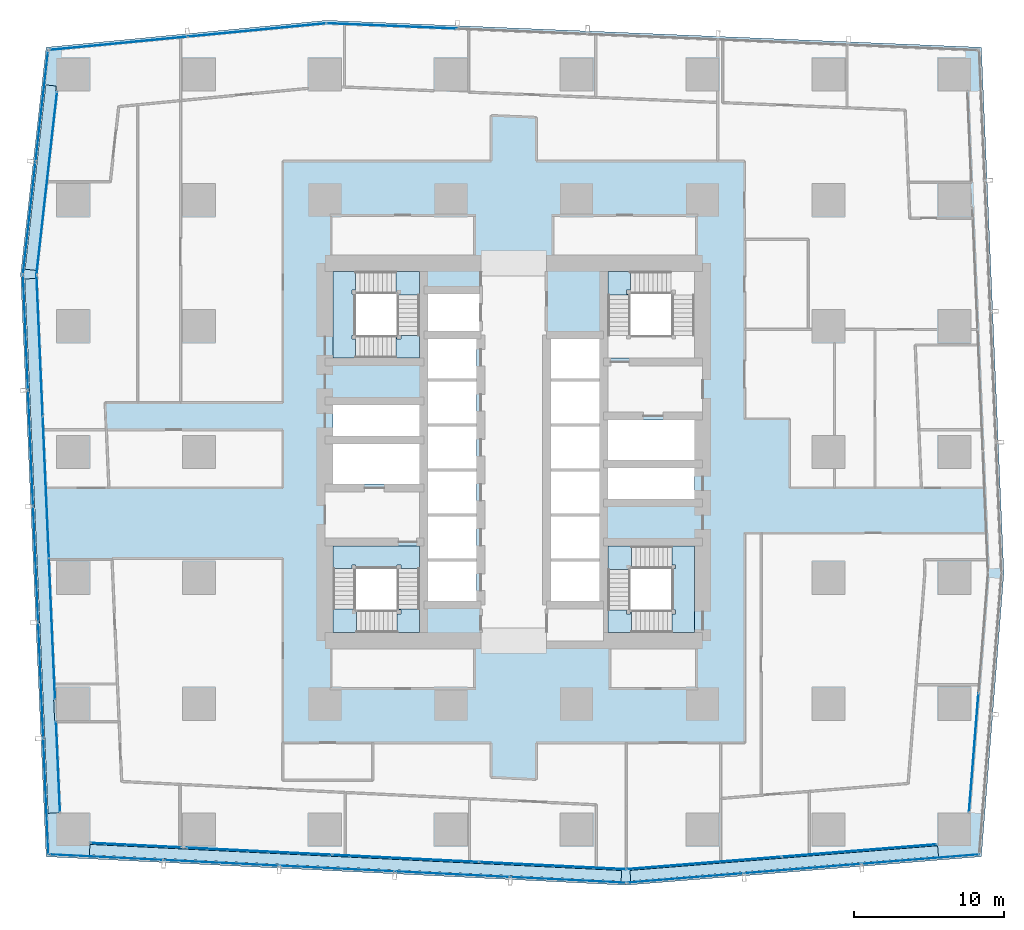
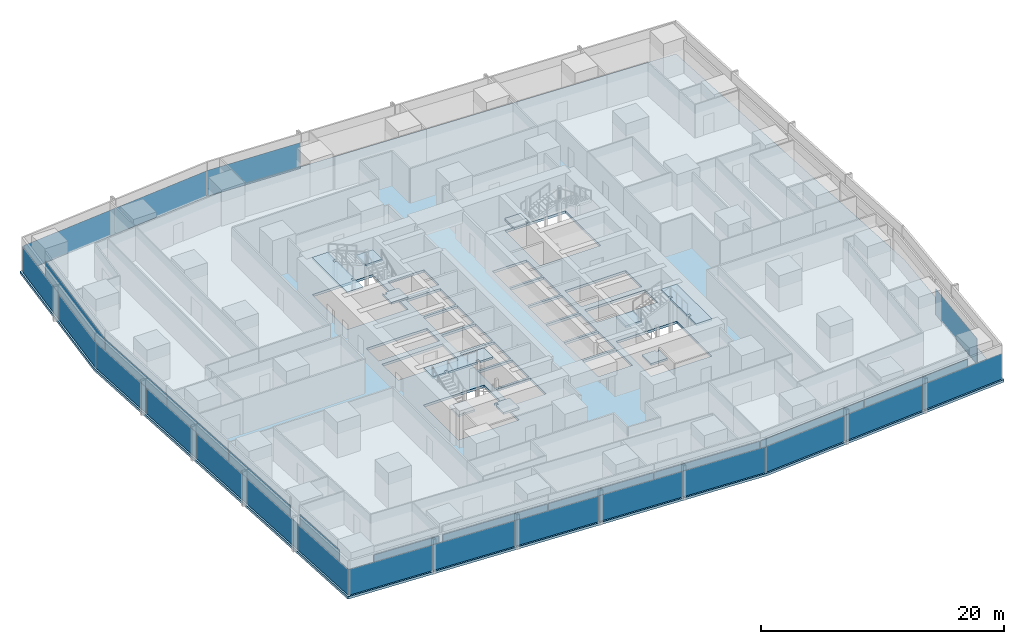
# One storey, part 30 of 45: 34 plates, 11 slabs, 17 elements without a shape of their own.
"""IFC4 building model written with IfcOpenShell, lengths in metres."""

import ifcopenshell
import ifcopenshell.guid

model = None  # the IFC model being written
_history = None  # IfcOwnerHistory: only IFC2X3 demands one
_inside = {}  # id of a spatial element -> (the spatial element, [elements in it])
_under = {}  # id of a project, library or spatial element -> (it, [spatial elements below it])
_declared = {}  # id of a project -> (the project, [libraries it declares])
_typed = {}  # id of a type object -> (the type object, [elements of that type])
_made_of = {}  # id of a material, layer set ... -> (it, [elements and type objects made of it])


def new_model(schema):
    """Start an empty IFC model of exactly this schema.

    Asked for "IFC4X3", IfcOpenShell would pick the latest addendum, in which some entities
    have other attributes; the version numbers below select the first issue.
    IFC2X3 requires an IfcOwnerHistory on every rooted entity: one is made here for all.
    """
    global model, _history
    if schema == "IFC4X3":
        model = ifcopenshell.file(schema_version=(4, 3, 0, 0))
    else:
        model = ifcopenshell.file(schema=schema)
    _inside.clear()
    _under.clear()
    _declared.clear()
    _typed.clear()
    _made_of.clear()
    _history = None
    if model.schema == "IFC2X3":
        org = make("IfcOrganization", Name="unknown")
        user = make(
            "IfcPersonAndOrganization",
            ThePerson=make("IfcPerson", FamilyName="unknown"),
            TheOrganization=org,
        )
        app = make(
            "IfcApplication",
            ApplicationDeveloper=org,
            Version="unknown",
            ApplicationFullName="unknown",
            ApplicationIdentifier="unknown",
        )
        _history = make(
            "IfcOwnerHistory",
            OwningUser=user,
            OwningApplication=app,
            ChangeAction="ADDED",
            CreationDate=0,
        )
    return model


def make(cls, **values):
    """One entity of the class cls with the attributes given. An attribute that is None is left unset."""
    return model.create_entity(
        cls, **{name: value for name, value in values.items() if value is not None}
    )


def rooted(cls, **values):
    """An entity with a GlobalId (a new one), such as an element, a storey or a relation."""
    return make(cls, GlobalId=ifcopenshell.guid.new(), OwnerHistory=_history, **values)


def si_unit(unit_type, name, prefix=None):
    """IfcSIUnit, for example si_unit("LENGTHUNIT", "METRE", prefix="MILLI")."""
    return make("IfcSIUnit", UnitType=unit_type, Prefix=prefix, Name=name)


def assignment(units):
    """IfcUnitAssignment: the units of a project."""
    return None if units is None else make("IfcUnitAssignment", Units=units)


def point(xyz):
    """IfcCartesianPoint."""
    return None if xyz is None else make("IfcCartesianPoint", Coordinates=xyz)


def direction(xyz):
    """IfcDirection."""
    return None if xyz is None else make("IfcDirection", DirectionRatios=xyz)


def frame(location, z_axis=None, x_axis=None):
    """IfcAxis2Placement3D, a coordinate frame: its origin and axes. An axis left out is left unset."""
    return make(
        "IfcAxis2Placement3D",
        Location=point(location),
        Axis=direction(z_axis),
        RefDirection=direction(x_axis),
    )


def frame_2d(location, x_axis=None):
    """IfcAxis2Placement2D, a coordinate frame in the plane: its origin and x axis."""
    return make(
        "IfcAxis2Placement2D", Location=point(location), RefDirection=direction(x_axis)
    )


def origin():
    """The frame at (0, 0, 0) with its axes left unset."""
    return frame((0.0, 0.0, 0.0))


def origin_2d():
    """The frame at (0, 0) in the plane with its x axis left unset."""
    return frame_2d((0.0, 0.0))


def place(relative_to, where):
    """IfcLocalPlacement: puts the frame where relative to a parent placement (None: the world)."""
    return make(
        "IfcLocalPlacement", PlacementRelTo=relative_to, RelativePlacement=where
    )


def context(
    kind, dimensions, precision=None, world=None, true_north=None, identifier=None
):
    """IfcGeometricRepresentationContext, for example the 3D "Model" context."""
    return make(
        "IfcGeometricRepresentationContext",
        ContextIdentifier=identifier,
        ContextType=kind,
        CoordinateSpaceDimension=dimensions,
        Precision=precision,
        WorldCoordinateSystem=world,
        TrueNorth=true_north,
    )


def subcontext(parent, identifier, kind, view, scale=None):
    """IfcGeometricRepresentationSubContext, for example "Body" below "Model"."""
    return make(
        "IfcGeometricRepresentationSubContext",
        ContextIdentifier=identifier,
        ContextType=kind,
        ParentContext=parent,
        TargetScale=scale,
        TargetView=view,
    )


def project(units=None, contexts=None):
    """IfcProject with its units and contexts."""
    return rooted(
        "IfcProject",
        Name="project",
        RepresentationContexts=contexts,
        UnitsInContext=assignment(units),
    )


def spatial(cls, under=None, at=None, **own):
    """A site, building, storey or space (cls), placed at a placement, below another one or the project."""
    s = rooted(cls, ObjectPlacement=at, **own)
    if under is not None:
        _under.setdefault(under.id(), (under, []))[1].append(s)
    return s


def polyline(points):
    """IfcPolyline through the points."""
    return make("IfcPolyline", Points=[point(p) for p in points])


def profile(cls, at=None, kind="AREA", **sizes):
    """A parametric profile (cls). Its sizes go by their IFC names, for example OverallWidth=200.0."""
    return make(cls, ProfileType=kind, Position=at, **sizes)


def rectangle(**sizes):
    """IfcRectangleProfileDef."""
    return profile("IfcRectangleProfileDef", **sizes)


def outline(outer, holes=None, kind="AREA"):
    """IfcArbitraryClosedProfileDef: a profile drawn as a closed curve; with holes, ...WithVoids."""
    if holes is None:
        return make("IfcArbitraryClosedProfileDef", ProfileType=kind, OuterCurve=outer)
    return make(
        "IfcArbitraryProfileDefWithVoids",
        ProfileType=kind,
        OuterCurve=outer,
        InnerCurves=holes,
    )


def extrude(swept, where, along, depth):
    """IfcExtrudedAreaSolid: the profile swept, set in the frame where, extruded along a direction by depth."""
    return make(
        "IfcExtrudedAreaSolid",
        SweptArea=swept,
        Position=where,
        ExtrudedDirection=direction(along),
        Depth=depth,
    )


def shape(context_of_items, identifier, shape_type, items):
    """IfcShapeRepresentation: the items that make up one representation, for example the "Body"."""
    return make(
        "IfcShapeRepresentation",
        ContextOfItems=context_of_items,
        RepresentationIdentifier=identifier,
        RepresentationType=shape_type,
        Items=items,
    )


def material(Name=None, Category=None):
    """IfcMaterial."""
    return make("IfcMaterial", Name=Name, Category=Category)


def layer(
    of_material, thickness, ventilated=None, Name=None, Category=None, Priority=None
):
    """IfcMaterialLayer: one layer of a wall or slab, of a material (None: an air gap)."""
    return make(
        "IfcMaterialLayer",
        Material=of_material,
        LayerThickness=thickness,
        IsVentilated=ventilated,
        Name=Name,
        Category=Category,
        Priority=Priority,
    )


def layer_set(layers, Name=None):
    """IfcMaterialLayerSet."""
    return make("IfcMaterialLayerSet", MaterialLayers=layers, LayerSetName=Name)


def made_of(thing, what):
    """Note that an element or type object is made of a material, layer set ...; save() writes the relation."""
    if what is not None:
        _made_of.setdefault(what.id(), (what, []))[1].append(thing)
    return thing


def type_object(cls, material=None, **own):
    """A type object (cls), such as IfcWallType, which elements share."""
    return made_of(rooted(cls, **own), material)


def element(
    cls,
    number,
    at=None,
    inside=None,
    cuts=None,
    type_object=None,
    material=None,
    context=None,
    identifier="Body",
    shape_type=None,
    held_by="IfcProductDefinitionShape",
    body=None,
    shapes=None,
    **own,
):
    """One element of the class cls, such as IfcWall. Its Tag is "e" and its number.

    at: its placement. inside: the storey or other place that contains it. cuts: it is an
    opening in that element (IfcRelVoidsElement). A single representation is given by context,
    identifier, shape_type and body (its items); several are given by shapes. held_by: the class
    of the entity that holds the representations. save() writes the other relations.
    """
    e = rooted(cls, Tag="e%d" % number, ObjectPlacement=at, **own)
    if body is not None:
        shapes = [shape(context, identifier, shape_type, body)]
    if shapes is not None:
        e.Representation = make(held_by, Representations=shapes)
    if inside is not None:
        _inside.setdefault(inside.id(), (inside, []))[1].append(e)
    if cuts is not None:
        rooted(
            "IfcRelVoidsElement", RelatingBuildingElement=cuts, RelatedOpeningElement=e
        )
    if type_object is not None:
        _typed.setdefault(type_object.id(), (type_object, []))[1].append(e)
    return made_of(e, material)


def aggregate(whole, parts):
    """IfcRelAggregates: a whole, such as a stair, and the parts it consists of."""
    return rooted("IfcRelAggregates", RelatingObject=whole, RelatedObjects=parts)


def save(model, path):
    """Write the relations noted so far, then the file.

    IfcRelAggregates (storeys below a building ...), IfcRelContainedInSpatialStructure (elements
    in a storey), IfcRelDefinesByType, IfcRelAssociatesMaterial and IfcRelDeclares: one each for
    every whole, place, type object, material and project.
    """
    for whole, parts in _under.values():
        aggregate(whole, parts)
    for where, things in _inside.values():
        rooted(
            "IfcRelContainedInSpatialStructure",
            RelatedElements=things,
            RelatingStructure=where,
        )
    for kind, things in _typed.values():
        rooted("IfcRelDefinesByType", RelatedObjects=things, RelatingType=kind)
    for what, things in _made_of.values():
        rooted("IfcRelAssociatesMaterial", RelatedObjects=things, RelatingMaterial=what)
    for by, libraries in _declared.values():
        rooted("IfcRelDeclares", RelatingContext=by, RelatedDefinitions=libraries)
    model.write(path)


model = new_model("IFC4")

# Units and contexts
model_context = context("Model", 3, precision=1e-05, world=origin(), true_north=direction((0.0, 1.0)))
body_context = subcontext(model_context, "Body", "Model", "MODEL_VIEW")
ifc_project = project(units=[si_unit("LENGTHUNIT", "METRE"), si_unit("AREAUNIT", "SQUARE_METRE"), si_unit("VOLUMEUNIT", "CUBIC_METRE"), si_unit("PLANEANGLEUNIT", "RADIAN"), si_unit("MASSUNIT", "GRAM", prefix="KILO")], contexts=[model_context])

# Site, building, storey
site_placement = place(None, origin())
site = spatial("IfcSite", under=ifc_project, at=site_placement, CompositionType="ELEMENT")
building_placement = place(site_placement, origin())
building = spatial("IfcBuilding", under=site, at=building_placement, Name="Rekha Terrace Tower", CompositionType="ELEMENT")
storey_placement = place(building_placement, frame((0.0, 0.0, 44.14990234375)))
storey = spatial("IfcBuildingStorey", under=building, at=storey_placement, Name="L10", CompositionType="ELEMENT", Elevation=44.14990234375)

# Curtain wall, plate
ifc_material_1 = material(Name="Aluminium framing", Category="aluminium")
curtain_wall_type_1 = type_object("IfcCurtainWallType", Name="CW1 double skin inner glazing", PredefinedType="USERDEFINED", material=ifc_material_1)
curtain_wall_1_placement = place(storey_placement, origin())
curtain_wall_1 = element("IfcCurtainWall", 1, at=curtain_wall_1_placement, inside=storey, type_object=curtain_wall_type_1, Name="CW1 double skin inner glazing", ObjectType="DOUBLE SKIN INNER GLAZING", PredefinedType="USERDEFINED")
ifc_material_2 = material(Name="Double-glazed low-e unit 32", Category="glass")
ifc_layer_1 = layer(ifc_material_2, 0.031982421875)
ifc_layer_set_1 = layer_set([ifc_layer_1], Name="Double-glazed low-e unit 32")
plate_type_1 = type_object("IfcPlateType", Name="CW1 jumbo vision panel, double-glazed low-e unit 32", PredefinedType="CURTAIN_PANEL", material=ifc_layer_set_1)
plate_1_placement = place(storey_placement, frame((12.60009765625, 7.36669921875, 0.0), z_axis=(0.0, 0.0, 1.0), x_axis=(0.998796239977, -0.049051717693, 0.0)))
plate_1 = element("IfcPlate", 2, at=plate_1_placement, type_object=plate_type_1, Name="CW1 panel 1.1", PredefinedType="CURTAIN_PANEL", context=body_context, shape_type="SweptSolid", body=[
    extrude(rectangle(XDim=6.028076171875, YDim=0.031982421875, at=origin_2d()), origin(), (0.0, 0.0, 1.0), 2.60009765625),
])
aggregate(curtain_wall_1, [plate_1])

# Curtain wall, plates
curtain_wall_2_placement = place(storey_placement, origin())
curtain_wall_2 = element("IfcCurtainWall", 3, at=curtain_wall_2_placement, inside=storey, type_object=curtain_wall_type_1, Name="CW1 double skin inner glazing", ObjectType="DOUBLE SKIN INNER GLAZING", PredefinedType="USERDEFINED")
plate_2_placement = place(storey_placement, frame((20.818603515625, 6.962890625, 0.0), z_axis=(0.0, 0.0, 1.0), x_axis=(0.998796239974, -0.049051717746, 0.0)))
plate_2 = element("IfcPlate", 4, at=plate_2_placement, type_object=plate_type_1, Name="CW1 panel 1.1", PredefinedType="CURTAIN_PANEL", context=body_context, shape_type="SweptSolid", body=[
    extrude(rectangle(XDim=9.701904296875, YDim=0.031982421875, at=origin_2d()), origin(), (0.0, 0.0, 1.0), 2.60009765625),
])
plate_3_placement = place(storey_placement, frame((30.590087890625, 6.483154296875, 0.0), z_axis=(0.0, 0.0, 1.0), x_axis=(0.998796239974, -0.049051717746, 0.0)))
plate_3 = element("IfcPlate", 5, at=plate_3_placement, type_object=plate_type_1, Name="CW1 panel 2.1", PredefinedType="CURTAIN_PANEL", context=body_context, shape_type="SweptSolid", body=[
    extrude(rectangle(XDim=9.734619140625, YDim=0.031982421875, at=origin_2d()), origin(), (0.0, 0.0, 1.0), 2.60009765625),
])
plate_4_placement = place(storey_placement, frame((40.39404296875, 6.001708984375, 0.0), z_axis=(0.0, 0.0, 1.0), x_axis=(0.998796239974, -0.049051717746, 0.0)))
plate_4 = element("IfcPlate", 6, at=plate_4_placement, type_object=plate_type_1, Name="CW1 panel 3.1", PredefinedType="CURTAIN_PANEL", context=body_context, shape_type="SweptSolid", body=[
    extrude(rectangle(XDim=9.76708984375, YDim=0.031982421875, at=origin_2d()), origin(), (0.0, 0.0, 1.0), 2.60009765625),
])
aggregate(curtain_wall_2, [plate_2, plate_3, plate_4])

curtain_wall_3_placement = place(storey_placement, origin())
curtain_wall_3 = element("IfcCurtainWall", 7, at=curtain_wall_3_placement, inside=storey, type_object=curtain_wall_type_1, Name="CW1 double skin inner glazing", ObjectType="DOUBLE SKIN INNER GLAZING", PredefinedType="USERDEFINED")
plate_5_placement = place(storey_placement, frame((50.488037109375, 6.18017578125, 0.0), z_axis=(0.0, 0.0, 1.0), x_axis=(0.996805111821, 0.079872204468, 0.0)))
plate_5 = element("IfcPlate", 8, at=plate_5_placement, type_object=plate_type_1, Name="CW1 panel 1.1", PredefinedType="CURTAIN_PANEL", context=body_context, shape_type="SweptSolid", body=[
    extrude(rectangle(XDim=10.336181640625, YDim=0.031982421875, at=origin_2d()), origin(), (0.0, 0.0, 1.0), 2.60009765625),
])
plate_6_placement = place(storey_placement, frame((60.85595703125, 7.0107421875, 0.0), z_axis=(0.0, 0.0, 1.0), x_axis=(0.996805111821, 0.079872204468, 0.0)))
plate_6 = element("IfcPlate", 9, at=plate_6_placement, type_object=plate_type_1, Name="CW1 panel 2.1", PredefinedType="CURTAIN_PANEL", context=body_context, shape_type="SweptSolid", body=[
    extrude(rectangle(XDim=10.336181640625, YDim=0.031982421875, at=origin_2d()), origin(), (0.0, 0.0, 1.0), 2.60009765625),
])
aggregate(curtain_wall_3, [plate_5, plate_6])

# Curtain wall, plate
curtain_wall_4_placement = place(storey_placement, origin())
curtain_wall_4 = element("IfcCurtainWall", 10, at=curtain_wall_4_placement, inside=storey, type_object=curtain_wall_type_1, Name="CW1 double skin inner glazing", ObjectType="DOUBLE SKIN INNER GLAZING", PredefinedType="USERDEFINED")
plate_7_placement = place(storey_placement, frame((68.487548828125, 13.541748046875, 0.0), z_axis=(0.0, 0.0, 1.0), x_axis=(0.079116301, 0.996865392576, 0.0)))
plate_7 = element("IfcPlate", 11, at=plate_7_placement, type_object=plate_type_1, Name="CW1 panel 1.1", PredefinedType="CURTAIN_PANEL", context=body_context, shape_type="SweptSolid", body=[
    extrude(rectangle(XDim=7.923583984375, YDim=0.031982421875, at=origin_2d()), origin(), (0.0, 0.0, 1.0), 2.60009765625),
])
aggregate(curtain_wall_4, [plate_7])

curtain_wall_5_placement = place(storey_placement, origin())
curtain_wall_5 = element("IfcCurtainWall", 12, at=curtain_wall_5_placement, inside=storey, type_object=curtain_wall_type_1, Name="CW1 double skin inner glazing", ObjectType="DOUBLE SKIN INNER GLAZING", PredefinedType="USERDEFINED")
plate_8_placement = place(storey_placement, frame((6.646728515625, 51.52734375, 0.0), z_axis=(0.0, 0.0, 1.0), x_axis=(-0.111729870748, -0.993738615524, 0.0)))
plate_8 = element("IfcPlate", 13, at=plate_8_placement, type_object=plate_type_1, Name="CW1 panel 1.1", PredefinedType="CURTAIN_PANEL", context=body_context, shape_type="SweptSolid", body=[
    extrude(rectangle(XDim=12.243896484375, YDim=0.031982421875, at=origin_2d()), origin(), (0.0, 0.0, 1.0), 2.60009765625),
])
aggregate(curtain_wall_5, [plate_8])

# Curtain wall, plates
curtain_wall_6_placement = place(storey_placement, origin())
curtain_wall_6 = element("IfcCurtainWall", 14, at=curtain_wall_6_placement, inside=storey, type_object=curtain_wall_type_1, Name="CW1 double skin inner glazing", ObjectType="DOUBLE SKIN INNER GLAZING", PredefinedType="USERDEFINED")
plate_9_placement = place(storey_placement, frame((6.170166015625, 40.69482421875, 0.0), z_axis=(0.0, 0.0, 1.0), x_axis=(0.043682543337, -0.999045462133, 0.0)))
plate_9 = element("IfcPlate", 15, at=plate_9_placement, type_object=plate_type_1, Name="CW1 panel 1.1", PredefinedType="CURTAIN_PANEL", context=body_context, shape_type="SweptSolid", body=[
    extrude(rectangle(XDim=9.376953125, YDim=0.031982421875, at=origin_2d()), origin(), (0.0, 0.0, 1.0), 2.60009765625),
])
plate_10_placement = place(storey_placement, frame((6.58349609375, 31.245361328125, 0.0), z_axis=(0.0, 0.0, 1.0), x_axis=(0.043682543337, -0.999045462133, 0.0)))
plate_10 = element("IfcPlate", 16, at=plate_10_placement, type_object=plate_type_1, Name="CW1 panel 2.1", PredefinedType="CURTAIN_PANEL", context=body_context, shape_type="SweptSolid", body=[
    extrude(rectangle(XDim=9.40966796875, YDim=0.031982421875, at=origin_2d()), origin(), (0.0, 0.0, 1.0), 2.60009765625),
])
plate_11_placement = place(storey_placement, frame((6.99658203125, 21.796142578125, 0.0), z_axis=(0.0, 0.0, 1.0), x_axis=(0.043682543337, -0.999045462133, 0.0)))
plate_11 = element("IfcPlate", 17, at=plate_11_placement, type_object=plate_type_1, Name="CW1 panel 3.1", PredefinedType="CURTAIN_PANEL", context=body_context, shape_type="SweptSolid", body=[
    extrude(rectangle(XDim=9.376953125, YDim=0.031982421875, at=origin_2d()), origin(), (0.0, 0.0, 1.0), 2.60009765625),
])
aggregate(curtain_wall_6, [plate_9, plate_10, plate_11])

# Curtain wall, plate
curtain_wall_7_placement = place(storey_placement, origin())
curtain_wall_7 = element("IfcCurtainWall", 18, at=curtain_wall_7_placement, inside=storey, type_object=curtain_wall_type_1, Name="CW1 double skin inner glazing", ObjectType="DOUBLE SKIN INNER GLAZING", PredefinedType="USERDEFINED")
plate_12_placement = place(storey_placement, frame((7.398681640625, 12.60009765625, 0.0), z_axis=(0.0, 0.0, 1.0), x_axis=(0.043682543424, -0.999045462129, 0.0)))
plate_12 = element("IfcPlate", 19, at=plate_12_placement, type_object=plate_type_1, Name="CW1 panel 1.1", PredefinedType="CURTAIN_PANEL", context=body_context, shape_type="SweptSolid", body=[
    extrude(rectangle(XDim=6.027587890625, YDim=0.031982421875, at=origin_2d()), origin(), (0.0, 0.0, 1.0), 2.60009765625),
])
aggregate(curtain_wall_7, [plate_12])

# Curtain wall, plates
curtain_wall_type_2 = type_object("IfcCurtainWallType", Name="CW2 double skin outer glazing", PredefinedType="USERDEFINED", material=ifc_material_1)
curtain_wall_8_placement = place(storey_placement, origin())
curtain_wall_8 = element("IfcCurtainWall", 20, at=curtain_wall_8_placement, inside=storey, type_object=curtain_wall_type_2, Name="CW2 double skin outer glazing", ObjectType="DOUBLE SKIN OUTER GLAZING", PredefinedType="USERDEFINED")
ifc_material_3 = material(Name="Toughened single glazing 12", Category="glass")
ifc_layer_2 = layer(ifc_material_3, 0.011962890625)
ifc_layer_set_2 = layer_set([ifc_layer_2], Name="Toughened single glazing 12")
plate_type_2 = type_object("IfcPlateType", Name="CW2 jumbo vision panel, toughened single glazing 12", PredefinedType="CURTAIN_PANEL", material=ifc_layer_set_2)
plate_13_placement = place(storey_placement, frame((10.626708984375, 6.5625, 0.0), z_axis=(0.0, 0.0, 1.0), x_axis=(0.998796239974, -0.049051717746, 0.0)))
plate_13 = element("IfcPlate", 21, at=plate_13_placement, type_object=plate_type_2, Name="CW2 panel 1.1", PredefinedType="CURTAIN_PANEL", context=body_context, shape_type="SweptSolid", body=[
    extrude(rectangle(XDim=7.595703125, YDim=0.011962890625, at=origin_2d()), origin(), (0.0, 0.0, 1.0), 2.60009765625),
])
plate_14_placement = place(storey_placement, frame((18.31298828125, 6.18505859375, 0.0), z_axis=(0.0, 0.0, 1.0), x_axis=(0.998796239974, -0.049051717746, 0.0)))
plate_14 = element("IfcPlate", 22, at=plate_14_placement, type_object=plate_type_2, Name="CW2 panel 2.1", PredefinedType="CURTAIN_PANEL", context=body_context, shape_type="SweptSolid", body=[
    extrude(rectangle(XDim=7.6357421875, YDim=0.011962890625, at=origin_2d()), origin(), (0.0, 0.0, 1.0), 2.60009765625),
])
plate_15_placement = place(storey_placement, frame((26.01953125, 5.806396484375, 0.0), z_axis=(0.0, 0.0, 1.0), x_axis=(0.998796239974, -0.049051717746, 0.0)))
plate_15 = element("IfcPlate", 23, at=plate_15_placement, type_object=plate_type_2, Name="CW2 panel 3.1", PredefinedType="CURTAIN_PANEL", context=body_context, shape_type="SweptSolid", body=[
    extrude(rectangle(XDim=7.6357421875, YDim=0.011962890625, at=origin_2d()), origin(), (0.0, 0.0, 1.0), 2.60009765625),
])
plate_16_placement = place(storey_placement, frame((33.725830078125, 5.427978515625, 0.0), z_axis=(0.0, 0.0, 1.0), x_axis=(0.998796239974, -0.049051717746, 0.0)))
plate_16 = element("IfcPlate", 24, at=plate_16_placement, type_object=plate_type_2, Name="CW2 panel 4.1", PredefinedType="CURTAIN_PANEL", context=body_context, shape_type="SweptSolid", body=[
    extrude(rectangle(XDim=7.6357421875, YDim=0.011962890625, at=origin_2d()), origin(), (0.0, 0.0, 1.0), 2.60009765625),
])
plate_17_placement = place(storey_placement, frame((41.452392578125, 5.048583984375, 0.0), z_axis=(0.0, 0.0, 1.0), x_axis=(0.998796239974, -0.049051717746, 0.0)))
plate_17 = element("IfcPlate", 25, at=plate_17_placement, type_object=plate_type_2, Name="CW2 panel 5.1", PredefinedType="CURTAIN_PANEL", context=body_context, shape_type="SweptSolid", body=[
    extrude(rectangle(XDim=7.67578125, YDim=0.011962890625, at=origin_2d()), origin(), (0.0, 0.0, 1.0), 2.60009765625),
])
aggregate(curtain_wall_8, [plate_13, plate_14, plate_15, plate_16, plate_17])

curtain_wall_9_placement = place(storey_placement, origin())
curtain_wall_9 = element("IfcCurtainWall", 26, at=curtain_wall_9_placement, inside=storey, type_object=curtain_wall_type_2, Name="CW2 double skin outer glazing", ObjectType="DOUBLE SKIN OUTER GLAZING", PredefinedType="USERDEFINED")
plate_18_placement = place(storey_placement, frame((49.233154296875, 5.176513671875, 0.0), z_axis=(0.0, 0.0, 1.0), x_axis=(0.996805111821, 0.079872204468, 0.0)))
plate_18 = element("IfcPlate", 27, at=plate_18_placement, type_object=plate_type_2, Name="CW2 panel 1.1", PredefinedType="CURTAIN_PANEL", context=body_context, shape_type="SweptSolid", body=[
    extrude(rectangle(XDim=7.760498046875, YDim=0.011962890625, at=origin_2d()), origin(), (0.0, 0.0, 1.0), 2.60009765625),
])
plate_19_placement = place(storey_placement, frame((57.068359375, 5.804443359375, 0.0), z_axis=(0.0, 0.0, 1.0), x_axis=(0.996805111821, 0.079872204468, 0.0)))
plate_19 = element("IfcPlate", 28, at=plate_19_placement, type_object=plate_type_2, Name="CW2 panel 2.1", PredefinedType="CURTAIN_PANEL", context=body_context, shape_type="SweptSolid", body=[
    extrude(rectangle(XDim=7.800537109375, YDim=0.011962890625, at=origin_2d()), origin(), (0.0, 0.0, 1.0), 2.60009765625),
])
plate_20_placement = place(storey_placement, frame((64.943603515625, 6.435546875, 0.0), z_axis=(0.0, 0.0, 1.0), x_axis=(0.996805111821, 0.079872204468, 0.0)))
plate_20 = element("IfcPlate", 29, at=plate_20_placement, type_object=plate_type_2, Name="CW2 panel 3.1", PredefinedType="CURTAIN_PANEL", context=body_context, shape_type="SweptSolid", body=[
    extrude(rectangle(XDim=7.84033203125, YDim=0.011962890625, at=origin_2d()), origin(), (0.0, 0.0, 1.0), 2.60009765625),
])
aggregate(curtain_wall_9, [plate_18, plate_19, plate_20])

curtain_wall_10_placement = place(storey_placement, origin())
curtain_wall_10 = element("IfcCurtainWall", 30, at=curtain_wall_10_placement, inside=storey, type_object=curtain_wall_type_2, Name="CW2 double skin outer glazing", ObjectType="DOUBLE SKIN OUTER GLAZING", PredefinedType="USERDEFINED")
plate_21_placement = place(storey_placement, frame((6.3212890625, 56.688720703125, 0.0), z_axis=(0.0, 0.0, 1.0), x_axis=(-0.111729870782, -0.99373861552, 0.0)))
plate_21 = element("IfcPlate", 31, at=plate_21_placement, type_object=plate_type_2, Name="CW2 panel 1.1", PredefinedType="CURTAIN_PANEL", context=body_context, shape_type="SweptSolid", body=[
    extrude(rectangle(XDim=7.41650390625, YDim=0.011962890625, at=origin_2d()), origin(), (0.0, 0.0, 1.0), 2.60009765625),
])
plate_22_placement = place(storey_placement, frame((5.479248046875, 49.19921875, 0.0), z_axis=(0.0, 0.0, 1.0), x_axis=(-0.111729870782, -0.99373861552, 0.0)))
plate_22 = element("IfcPlate", 32, at=plate_22_placement, type_object=plate_type_2, Name="CW2 panel 2.1", PredefinedType="CURTAIN_PANEL", context=body_context, shape_type="SweptSolid", body=[
    extrude(rectangle(XDim=7.49658203125, YDim=0.011962890625, at=origin_2d()), origin(), (0.0, 0.0, 1.0), 2.60009765625),
])
aggregate(curtain_wall_10, [plate_21, plate_22])

curtain_wall_11_placement = place(storey_placement, origin())
curtain_wall_11 = element("IfcCurtainWall", 33, at=curtain_wall_11_placement, inside=storey, type_object=curtain_wall_type_2, Name="CW2 double skin outer glazing", ObjectType="DOUBLE SKIN OUTER GLAZING", PredefinedType="USERDEFINED")
plate_23_placement = place(storey_placement, frame((5.23046875, 41.582275390625, 0.0), z_axis=(0.0, 0.0, 1.0), x_axis=(0.043682543372, -0.999045462131, 0.0)))
plate_23 = element("IfcPlate", 34, at=plate_23_placement, type_object=plate_type_2, Name="CW2 panel 1.1", PredefinedType="CURTAIN_PANEL", context=body_context, shape_type="SweptSolid", body=[
    extrude(rectangle(XDim=7.6318359375, YDim=0.011962890625, at=origin_2d()), origin(), (0.0, 0.0, 1.0), 2.60009765625),
])
plate_24_placement = place(storey_placement, frame((5.568359375, 33.85791015625, 0.0), z_axis=(0.0, 0.0, 1.0), x_axis=(0.043682543372, -0.999045462131, 0.0)))
plate_24 = element("IfcPlate", 35, at=plate_24_placement, type_object=plate_type_2, Name="CW2 panel 2.1", PredefinedType="CURTAIN_PANEL", context=body_context, shape_type="SweptSolid", body=[
    extrude(rectangle(XDim=7.671875, YDim=0.011962890625, at=origin_2d()), origin(), (0.0, 0.0, 1.0), 2.60009765625),
])
plate_25_placement = place(storey_placement, frame((5.906982421875, 26.113525390625, 0.0), z_axis=(0.0, 0.0, 1.0), x_axis=(0.043682543372, -0.999045462131, 0.0)))
plate_25 = element("IfcPlate", 36, at=plate_25_placement, type_object=plate_type_2, Name="CW2 panel 3.1", PredefinedType="CURTAIN_PANEL", context=body_context, shape_type="SweptSolid", body=[
    extrude(rectangle(XDim=7.671875, YDim=0.011962890625, at=origin_2d()), origin(), (0.0, 0.0, 1.0), 2.60009765625),
])
plate_26_placement = place(storey_placement, frame((6.24560546875, 18.369140625, 0.0), z_axis=(0.0, 0.0, 1.0), x_axis=(0.043682543372, -0.999045462131, 0.0)))
plate_26 = element("IfcPlate", 37, at=plate_26_placement, type_object=plate_type_2, Name="CW2 panel 4.1", PredefinedType="CURTAIN_PANEL", context=body_context, shape_type="SweptSolid", body=[
    extrude(rectangle(XDim=7.671875, YDim=0.011962890625, at=origin_2d()), origin(), (0.0, 0.0, 1.0), 2.60009765625),
])
plate_27_placement = place(storey_placement, frame((6.5849609375, 10.60498046875, 0.0), z_axis=(0.0, 0.0, 1.0), x_axis=(0.043682543372, -0.999045462131, 0.0)))
plate_27 = element("IfcPlate", 38, at=plate_27_placement, type_object=plate_type_2, Name="CW2 panel 5.1", PredefinedType="CURTAIN_PANEL", context=body_context, shape_type="SweptSolid", body=[
    extrude(rectangle(XDim=7.711669921875, YDim=0.011962890625, at=origin_2d()), origin(), (0.0, 0.0, 1.0), 2.60009765625),
])
aggregate(curtain_wall_11, [plate_23, plate_24, plate_25, plate_26, plate_27])

# Curtain wall, plate
curtain_wall_type_3 = type_object("IfcCurtainWallType", Name="CW3 north unitised glazing", PredefinedType="USERDEFINED", material=ifc_material_1)
curtain_wall_12_placement = place(storey_placement, origin())
curtain_wall_12 = element("IfcCurtainWall", 39, at=curtain_wall_12_placement, inside=storey, type_object=curtain_wall_type_3, Name="CW3 unitised curtain wall", ObjectType="UNITISED CURTAIN WALL", PredefinedType="USERDEFINED")
ifc_material_4 = material(Name="Double-glazed unit 28", Category="glass")
ifc_layer_3 = layer(ifc_material_4, 0.028076171875)
ifc_layer_set_3 = layer_set([ifc_layer_3], Name="Double-glazed unit 28")
plate_type_3 = type_object("IfcPlateType", Name="CW3 jumbo vision panel, double-glazed unit 28", PredefinedType="CURTAIN_PANEL", material=ifc_layer_set_3)
plate_28_placement = place(storey_placement, frame((29.65625, 62.021240234375, 0.0), z_axis=(0.0, 0.0, 1.0), x_axis=(-0.999151997647, 0.041173846041, 0.0)))
plate_28 = element("IfcPlate", 40, at=plate_28_placement, type_object=plate_type_3, Name="CW3 panel 5.1", PredefinedType="CURTAIN_PANEL", context=body_context, shape_type="SweptSolid", body=[
    extrude(rectangle(XDim=8.6689453125, YDim=0.028076171875, at=origin_2d()), origin(), (0.0, 0.0, 1.0), 2.60009765625),
])
aggregate(curtain_wall_12, [plate_28])

# Curtain wall, plates
curtain_wall_13_placement = place(storey_placement, origin())
curtain_wall_13 = element("IfcCurtainWall", 41, at=curtain_wall_13_placement, inside=storey, type_object=curtain_wall_type_3, Name="CW3 unitised curtain wall", ObjectType="UNITISED CURTAIN WALL", PredefinedType="USERDEFINED")
plate_29_placement = place(storey_placement, frame((20.671875, 61.752197265625, 0.0), z_axis=(0.0, 0.0, 1.0), x_axis=(-0.995409029102, -0.095712406625, 0.0)))
plate_29 = element("IfcPlate", 42, at=plate_29_placement, type_object=plate_type_3, Name="CW3 panel 1.1", PredefinedType="CURTAIN_PANEL", context=body_context, shape_type="SweptSolid", body=[
    extrude(rectangle(XDim=9.210205078125, YDim=0.028076171875, at=origin_2d()), origin(), (0.0, 0.0, 1.0), 2.60009765625),
])
plate_30_placement = place(storey_placement, frame((11.434326171875, 60.864013671875, 0.0), z_axis=(0.0, 0.0, 1.0), x_axis=(-0.995409029102, -0.095712406625, 0.0)))
plate_30 = element("IfcPlate", 43, at=plate_30_placement, type_object=plate_type_3, Name="CW3 panel 2.1", PredefinedType="CURTAIN_PANEL", context=body_context, shape_type="SweptSolid", body=[
    extrude(rectangle(XDim=9.210205078125, YDim=0.028076171875, at=origin_2d()), origin(), (0.0, 0.0, 1.0), 2.60009765625),
])
aggregate(curtain_wall_13, [plate_29, plate_30])

# Plates
ifc_material_5 = material(Name="Galvanised steel open grating", Category="steel")
ifc_layer_4 = layer(ifc_material_5, 0.050048828125)
ifc_layer_set_4 = layer_set([ifc_layer_4], Name="Galvanised steel open grating")
plate_type_4 = type_object("IfcPlateType", Name="GT1 cavity walkway grating 50", PredefinedType="USERDEFINED", material=ifc_layer_set_4)
plate_31_placement = place(storey_placement, frame((27.24365234375, 6.197021484375, 0.0), z_axis=(0.0, 0.0, 1.0), x_axis=(0.998796239974, -0.049051717746, 0.0)))
element("IfcPlate", 44, at=plate_31_placement, inside=storey, type_object=plate_type_4, Name="Cavity walkway grating", ObjectType="CAVITY WALKWAY GRATING", PredefinedType="USERDEFINED", context=body_context, shape_type="SweptSolid", body=[
    extrude(rectangle(XDim=35.512939453125, YDim=0.705078125, at=origin_2d()), origin(), (0.0, 0.0, 1.0), 0.050048828125),
])
plate_32_placement = place(storey_placement, frame((55.841552734375, 6.15771484375, 0.0), z_axis=(0.0, 0.0, 1.0), x_axis=(0.996805111821, 0.079872204468, 0.0)))
element("IfcPlate", 45, at=plate_32_placement, inside=storey, type_object=plate_type_4, Name="Cavity walkway grating", ObjectType="CAVITY WALKWAY GRATING", PredefinedType="USERDEFINED", context=body_context, shape_type="SweptSolid", body=[
    extrude(rectangle(XDim=20.59375, YDim=0.705078125, at=origin_2d()), origin(), (0.0, 0.0, 1.0), 0.050048828125),
])
plate_33_placement = place(storey_placement, frame((6.236328125, 51.90576171875, 0.0), z_axis=(0.0, 0.0, 1.0), x_axis=(-0.1117298708, -0.993738615518, 0.0)))
element("IfcPlate", 46, at=plate_33_placement, inside=storey, type_object=plate_type_4, Name="Cavity walkway grating", ObjectType="CAVITY WALKWAY GRATING", PredefinedType="USERDEFINED", context=body_context, shape_type="SweptSolid", body=[
    extrude(rectangle(XDim=12.374267578125, YDim=0.705078125, at=origin_2d()), origin(), (0.0, 0.0, 1.0), 0.050048828125),
])
plate_34_placement = place(storey_placement, frame((6.303955078125, 27.3349609375, 0.0), z_axis=(0.0, 0.0, 1.0), x_axis=(0.043682543355, -0.999045462132, 0.0)))
element("IfcPlate", 47, at=plate_34_placement, inside=storey, type_object=plate_type_4, Name="Cavity walkway grating", ObjectType="CAVITY WALKWAY GRATING", PredefinedType="USERDEFINED", context=body_context, shape_type="SweptSolid", body=[
    extrude(rectangle(XDim=35.682861328125, YDim=0.705078125, at=origin_2d()), origin(), (0.0, 0.0, 1.0), 0.050048828125),
])

# Stair, slabs
ifc_material_6 = material(Name="Concrete M40", Category="concrete")
stair_type = type_object("IfcStairType", Name="ST30 stair, 30 risers of 125, going 300, 1500 wide flights, 3 flights", PredefinedType="HALF_TURN_STAIR", material=ifc_material_6)
stair_1_placement = place(storey_placement, origin())
stair_1 = element("IfcStair", 48, at=stair_1_placement, inside=storey, type_object=stair_type, Name="Stair ST1 L10 to L11", PredefinedType="HALF_TURN_STAIR")
ifc_layer_5 = layer(ifc_material_6, 0.199951171875)
ifc_layer_set_5 = layer_set([ifc_layer_5], Name="Concrete M40")
slab_type_1 = type_object("IfcSlabType", Name="LD1 200 concrete stair landing", PredefinedType="LANDING", material=ifc_layer_set_5)
slab_1_placement = place(storey_placement, frame((0.0, 0.0, 1.050048828125)))
slab_1 = element("IfcSlab", 49, at=slab_1_placement, type_object=slab_type_1, Name="ST1 landing 1", PredefinedType="LANDING", context=body_context, shape_type="SweptSolid", body=[
    extrude(outline(polyline([(30.02490234375, 21.550048828125), (31.52490234375, 21.550048828125), (31.52490234375, 23.125), (30.02490234375, 23.125), (30.02490234375, 23.050048828125), (30.27490234375, 23.050048828125), (30.27490234375, 22.800048828125), (30.02490234375, 22.800048828125), (30.02490234375, 21.550048828125)])), origin(), (0.0, 0.0, 1.0), 0.199951171875),
])
slab_2_placement = place(storey_placement, frame((0.0, 0.0, 2.300048828125)))
slab_2 = element("IfcSlab", 50, at=slab_2_placement, type_object=slab_type_1, Name="ST1 landing 2", PredefinedType="LANDING", context=body_context, shape_type="SweptSolid", body=[
    extrude(outline(polyline([(27.25, 23.125), (25.75, 23.125), (25.75, 21.550048828125), (27.324951171875, 21.550048828125), (27.324951171875, 23.050048828125), (27.25, 23.050048828125), (27.25, 23.125)])), origin(), (0.0, 0.0, 1.0), 0.199951171875),
])
slab_3_placement = place(storey_placement, frame((0.0, 0.0, 3.550048828125)))
slab_3 = element("IfcSlab", 51, at=slab_3_placement, type_object=slab_type_1, Name="ST1 landing 3", PredefinedType="LANDING", context=body_context, shape_type="SweptSolid", body=[
    extrude(outline(polyline([(31.52490234375, 25.824951171875), (31.52490234375, 27.324951171875), (25.75, 27.324951171875), (25.75, 25.824951171875), (27.0, 25.824951171875), (27.0, 26.074951171875), (27.25, 26.074951171875), (27.25, 25.824951171875), (30.02490234375, 25.824951171875), (30.02490234375, 26.074951171875), (30.27490234375, 26.074951171875), (30.27490234375, 25.824951171875), (31.52490234375, 25.824951171875)])), origin(), (0.0, 0.0, 1.0), 0.199951171875),
])
aggregate(stair_1, [slab_1, slab_2, slab_3])

# Stair, slab
stair_2_placement = place(storey_placement, origin())
stair_2 = element("IfcStair", 52, at=stair_2_placement, inside=storey, type_object=stair_type, Name="Stair ST2 L10 to L11", PredefinedType="HALF_TURN_STAIR")
slab_4_placement = place(storey_placement, frame((0.0, 0.0, 1.050048828125)))
slab_4 = element("IfcSlab", 53, at=slab_4_placement, type_object=slab_type_1, Name="ST2 landing 1", PredefinedType="LANDING", context=body_context, shape_type="SweptSolid", body=[
    extrude(outline(polyline([(45.574951171875, 45.64990234375), (44.074951171875, 45.64990234375), (44.074951171875, 44.074951171875), (45.574951171875, 44.074951171875), (45.574951171875, 44.14990234375), (45.324951171875, 44.14990234375), (45.324951171875, 44.39990234375), (45.574951171875, 44.39990234375), (45.574951171875, 45.64990234375)])), origin(), (0.0, 0.0, 1.0), 0.199951171875),
])
aggregate(stair_2, [slab_4])

# Stair, slabs
stair_3_placement = place(storey_placement, origin())
stair_3 = element("IfcStair", 54, at=stair_3_placement, inside=storey, type_object=stair_type, Name="Stair ST3 L10 to L11", PredefinedType="HALF_TURN_STAIR")
slab_5_placement = place(storey_placement, frame((0.0, 0.0, 1.050048828125)))
slab_5 = element("IfcSlab", 55, at=slab_5_placement, type_object=slab_type_1, Name="ST3 landing 1", PredefinedType="LANDING", context=body_context, shape_type="SweptSolid", body=[
    extrude(outline(polyline([(44.074951171875, 23.050048828125), (44.074951171875, 21.550048828125), (45.64990234375, 21.550048828125), (45.64990234375, 23.050048828125), (45.574951171875, 23.050048828125), (45.574951171875, 22.800048828125), (45.324951171875, 22.800048828125), (45.324951171875, 23.050048828125), (44.074951171875, 23.050048828125)])), origin(), (0.0, 0.0, 1.0), 0.199951171875),
])
slab_6_placement = place(storey_placement, frame((0.0, 0.0, 2.300048828125)))
slab_6 = element("IfcSlab", 56, at=slab_6_placement, type_object=slab_type_1, Name="ST3 landing 2", PredefinedType="LANDING", context=body_context, shape_type="SweptSolid", body=[
    extrude(outline(polyline([(45.64990234375, 25.824951171875), (45.64990234375, 27.324951171875), (44.074951171875, 27.324951171875), (44.074951171875, 25.75), (45.574951171875, 25.75), (45.574951171875, 25.824951171875), (45.64990234375, 25.824951171875)])), origin(), (0.0, 0.0, 1.0), 0.199951171875),
])
slab_7_placement = place(storey_placement, frame((0.0, 0.0, 3.550048828125)))
slab_7 = element("IfcSlab", 57, at=slab_7_placement, type_object=slab_type_1, Name="ST3 landing 3", PredefinedType="LANDING", context=body_context, shape_type="SweptSolid", body=[
    extrude(outline(polyline([(48.35009765625, 21.550048828125), (49.85009765625, 21.550048828125), (49.85009765625, 27.324951171875), (48.35009765625, 27.324951171875), (48.35009765625, 26.074951171875), (48.60009765625, 26.074951171875), (48.60009765625, 25.824951171875), (48.35009765625, 25.824951171875), (48.35009765625, 23.050048828125), (48.60009765625, 23.050048828125), (48.60009765625, 22.800048828125), (48.35009765625, 22.800048828125), (48.35009765625, 21.550048828125)])), origin(), (0.0, 0.0, 1.0), 0.199951171875),
])
aggregate(stair_3, [slab_5, slab_6, slab_7])

stair_4_placement = place(storey_placement, origin())
stair_4 = element("IfcStair", 58, at=stair_4_placement, inside=storey, type_object=stair_type, Name="Stair ST4 L10 to L11", PredefinedType="HALF_TURN_STAIR")
slab_8_placement = place(storey_placement, frame((0.0, 0.0, 1.050048828125)))
slab_8 = element("IfcSlab", 59, at=slab_8_placement, type_object=slab_type_1, Name="ST4 landing 1", PredefinedType="LANDING", context=body_context, shape_type="SweptSolid", body=[
    extrude(outline(polyline([(31.52490234375, 41.375), (31.52490234375, 39.875), (29.949951171875, 39.875), (29.949951171875, 41.375), (30.02490234375, 41.375), (30.02490234375, 41.125), (30.27490234375, 41.125), (30.27490234375, 41.375), (31.52490234375, 41.375)])), origin(), (0.0, 0.0, 1.0), 0.199951171875),
])
slab_9_placement = place(storey_placement, frame((0.0, 0.0, 2.300048828125)))
slab_9 = element("IfcSlab", 60, at=slab_9_placement, type_object=slab_type_1, Name="ST4 landing 2", PredefinedType="LANDING", context=body_context, shape_type="SweptSolid", body=[
    extrude(outline(polyline([(29.949951171875, 44.14990234375), (29.949951171875, 45.64990234375), (31.52490234375, 45.64990234375), (31.52490234375, 44.074951171875), (30.02490234375, 44.074951171875), (30.02490234375, 44.14990234375), (29.949951171875, 44.14990234375)])), origin(), (0.0, 0.0, 1.0), 0.199951171875),
])
slab_10_placement = place(storey_placement, frame((0.0, 0.0, 3.550048828125)))
slab_10 = element("IfcSlab", 61, at=slab_10_placement, type_object=slab_type_1, Name="ST4 landing 3", PredefinedType="LANDING", context=body_context, shape_type="SweptSolid", body=[
    extrude(outline(polyline([(27.25, 39.875), (25.75, 39.875), (25.75, 45.64990234375), (27.25, 45.64990234375), (27.25, 44.39990234375), (27.0, 44.39990234375), (27.0, 44.14990234375), (27.25, 44.14990234375), (27.25, 41.375), (27.0, 41.375), (27.0, 41.125), (27.25, 41.125), (27.25, 39.875)])), origin(), (0.0, 0.0, 1.0), 0.199951171875),
])
aggregate(stair_4, [slab_8, slab_9, slab_10])

# Slab
ifc_material_7 = material(Name="Concrete M50", Category="concrete")
ifc_layer_6 = layer(ifc_material_7, 0.25)
ifc_layer_set_6 = layer_set([ifc_layer_6], Name="Concrete M50")
slab_type_2 = type_object("IfcSlabType", Name="SL4 250 post-tensioned flat plate", PredefinedType="FLOOR", material=ifc_layer_set_6)
slab_11_placement = place(storey_placement, frame((0.0, 0.0, -0.25)))
element("IfcSlab", 62, at=slab_11_placement, inside=storey, type_object=slab_type_2, Name="Post-tensioned flat plate L10", PredefinedType="FLOOR", context=body_context, shape_type="SweptSolid", body=[
    extrude(outline(polyline([(4.89990234375, 45.47998046875), (6.60009765625, 6.60009765625), (45.2880859375, 4.699951171875), (69.0, 6.60009765625), (70.5, 25.5), (69.0, 60.60009765625), (25.320068359375, 62.39990234375), (6.60009765625, 60.60009765625), (4.89990234375, 45.47998046875)]), holes=[polyline([(31.52490234375, 27.324951171875), (31.52490234375, 21.550048828125), (25.75, 21.550048828125), (25.75, 27.324951171875), (31.52490234375, 27.324951171875)]), polyline([(35.324951171875, 26.300048828125), (35.324951171875, 23.675048828125), (32.074951171875, 23.675048828125), (32.074951171875, 26.300048828125), (35.324951171875, 26.300048828125)]), polyline([(35.324951171875, 29.300048828125), (35.324951171875, 26.5), (32.074951171875, 26.5), (32.074951171875, 29.300048828125), (35.324951171875, 29.300048828125)]), polyline([(35.324951171875, 29.5), (32.074951171875, 29.5), (32.074951171875, 32.300048828125), (35.324951171875, 32.300048828125), (35.324951171875, 29.5)]), polyline([(31.52490234375, 31.47509765625), (25.75, 31.47509765625), (25.75, 34.125), (31.52490234375, 34.125), (31.52490234375, 31.47509765625)]), polyline([(35.324951171875, 35.300048828125), (35.324951171875, 32.5), (32.074951171875, 32.5), (32.074951171875, 35.300048828125), (35.324951171875, 35.300048828125)]), polyline([(31.52490234375, 36.72509765625), (31.52490234375, 34.675048828125), (25.75, 34.675048828125), (25.75, 36.72509765625), (31.52490234375, 36.72509765625)]), polyline([(35.324951171875, 38.300048828125), (35.324951171875, 35.5), (32.074951171875, 35.5), (32.074951171875, 38.300048828125), (35.324951171875, 38.300048828125)]), polyline([(35.324951171875, 38.5), (32.074951171875, 38.5), (32.074951171875, 41.125), (35.324951171875, 41.125), (35.324951171875, 38.5)]), polyline([(31.52490234375, 39.875), (25.75, 39.875), (25.75, 45.64990234375), (31.52490234375, 45.64990234375), (31.52490234375, 39.875)]), polyline([(35.5, 44.125), (35.5, 41.675048828125), (32.074951171875, 41.675048828125), (32.074951171875, 44.125), (35.5, 44.125)]), polyline([(49.85009765625, 27.324951171875), (49.85009765625, 21.550048828125), (44.074951171875, 21.550048828125), (44.074951171875, 27.324951171875), (49.85009765625, 27.324951171875)]), polyline([(43.52490234375, 26.300048828125), (43.52490234375, 23.675048828125), (40.27490234375, 23.675048828125), (40.27490234375, 26.300048828125), (43.52490234375, 26.300048828125)]), polyline([(43.52490234375, 26.5), (40.27490234375, 26.5), (40.27490234375, 29.300048828125), (43.52490234375, 29.300048828125), (43.52490234375, 26.5)]), polyline([(43.52490234375, 29.5), (40.27490234375, 29.5), (40.27490234375, 32.300048828125), (43.52490234375, 32.300048828125), (43.52490234375, 29.5)]), polyline([(49.85009765625, 32.52490234375), (49.85009765625, 30.47509765625), (44.074951171875, 30.47509765625), (44.074951171875, 32.52490234375), (49.85009765625, 32.52490234375)]), polyline([(43.52490234375, 32.5), (40.27490234375, 32.5), (40.27490234375, 35.300048828125), (43.52490234375, 35.300048828125), (43.52490234375, 32.5)]), polyline([(49.85009765625, 33.074951171875), (44.074951171875, 33.074951171875), (44.074951171875, 35.72509765625), (49.85009765625, 35.72509765625), (49.85009765625, 33.074951171875)]), polyline([(43.52490234375, 38.300048828125), (43.52490234375, 35.5), (40.27490234375, 35.5), (40.27490234375, 38.300048828125), (43.52490234375, 38.300048828125)]), polyline([(43.52490234375, 38.5), (40.27490234375, 38.5), (40.27490234375, 41.125), (43.52490234375, 41.125), (43.52490234375, 38.5)]), polyline([(49.85009765625, 39.875), (44.074951171875, 39.875), (44.074951171875, 45.64990234375), (49.85009765625, 45.64990234375), (49.85009765625, 39.875)])]), origin(), (0.0, 0.0, 1.0), 0.25),
])

save(model, "model.ifc")
